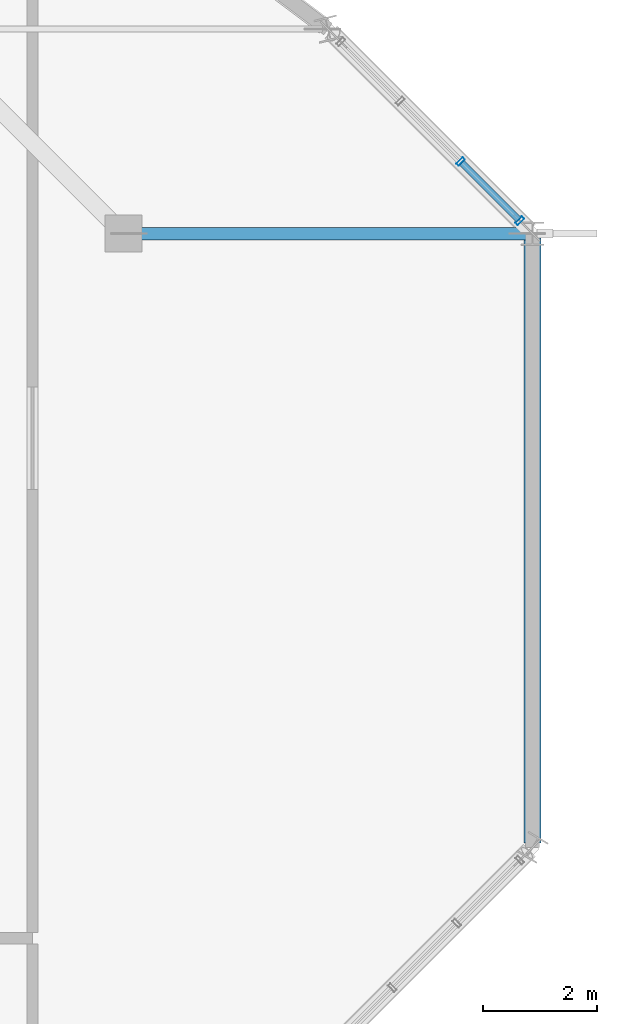
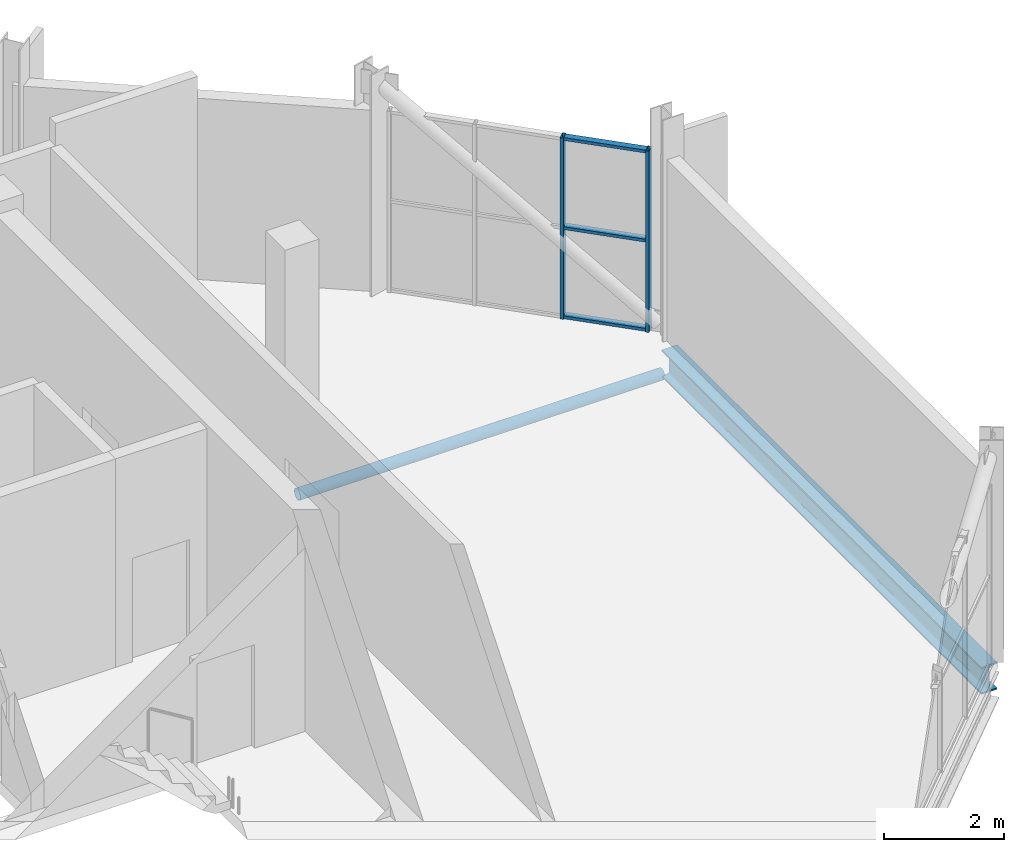
# One storey, part 12 of 22: 6 members, 1 beam, 1 element without a shape of its own.
"""IFC4 building model written with IfcOpenShell, lengths in metres."""

from ifc_helpers import new_model, si_unit, direction, frame, origin, origin_2d, place, context, subcontext, project, spatial, hollow_rectangle, hollow_circle, i_section, extrude, material, layer, layer_set, material_profile, profile_set, type_object, element, aggregate, save


model = new_model("IFC4")

# Units and contexts
model_context = context("Model", 3, precision=1e-05, world=origin(), true_north=direction((0.0, 1.0)))
body_context = subcontext(model_context, "Body", "Model", "MODEL_VIEW")
ifc_project = project(units=[si_unit("LENGTHUNIT", "METRE"), si_unit("AREAUNIT", "SQUARE_METRE"), si_unit("VOLUMEUNIT", "CUBIC_METRE"), si_unit("PLANEANGLEUNIT", "RADIAN"), si_unit("MASSUNIT", "GRAM", prefix="KILO")], contexts=[model_context])

# Site, building, storey
site_placement = place(None, origin())
site = spatial("IfcSite", under=ifc_project, at=site_placement, CompositionType="ELEMENT")
building_placement = place(site_placement, origin())
building = spatial("IfcBuilding", under=site, at=building_placement, Name="Solnavia Interchange Tower", CompositionType="ELEMENT")
storey_placement = place(building_placement, frame((0.0, 0.0, 317.699951171875)))
storey = spatial("IfcBuildingStorey", under=building, at=storey_placement, Name="C04", CompositionType="ELEMENT", Elevation=317.699951171875)

# Curtain wall, members
ifc_material_1 = material(Name="Aluminium Alloy 6063-T6", Category="aluminium")
ifc_layer = layer(ifc_material_1, 0.179931640625)
ifc_layer_set = layer_set([ifc_layer], Name="Aluminium Alloy 6063-T6")
curtain_wall_type = type_object("IfcCurtainWallType", Name="CurtainWall-Crown-CTW6", PredefinedType="NOTDEFINED", material=ifc_layer_set)
curtain_wall_placement = place(storey_placement, origin())
curtain_wall = element("IfcCurtainWall", 1, at=curtain_wall_placement, inside=storey, type_object=curtain_wall_type, Name="CTW-C04-R01 CTW-6 curtain wall", PredefinedType="NOTDEFINED")
ifc_material_profile_1 = material_profile(ifc_material_1, hollow_rectangle(XDim=0.06005859375, YDim=0.159912109375, WallThickness=0.00390625, at=origin_2d()), Name="ALU 160x60x4")
ifc_profile_set_1 = profile_set([ifc_material_profile_1], Name="Aluminium Alloy 6063-T6")
member_type_1 = type_object("IfcMemberType", Name="CW-Mullion-CWM-6", PredefinedType="MULLION", material=ifc_profile_set_1)
member_1_placement = place(storey_placement, frame((42.974853515625, 21.8251953125, 0.0), z_axis=(0.0, 0.0, 1.0), x_axis=(-0.707106781187, 0.707106781187, 0.0)))
member_1 = element("IfcMember", 2, at=member_1_placement, type_object=member_type_1, Name="CTW-6 mullion 1", PredefinedType="MULLION", context=body_context, shape_type="SweptSolid", body=[
    extrude(hollow_rectangle(XDim=0.06005859375, YDim=0.159912109375, WallThickness=0.00390625, at=origin_2d()), origin(), (0.0, 0.0, 1.0), 3.679931640625),
])
member_2_placement = place(storey_placement, frame((41.931884765625, 22.867919921875, 0.0), z_axis=(0.0, 0.0, 1.0), x_axis=(-0.707106781187, 0.707106781187, 0.0)))
member_2 = element("IfcMember", 3, at=member_2_placement, type_object=member_type_1, Name="CTW-6 mullion 2", PredefinedType="MULLION", context=body_context, shape_type="SweptSolid", body=[
    extrude(hollow_rectangle(XDim=0.06005859375, YDim=0.159912109375, WallThickness=0.00390625, at=origin_2d()), origin(), (0.0, 0.0, 1.0), 3.679931640625),
])
ifc_material_profile_2 = material_profile(ifc_material_1, hollow_rectangle(XDim=0.06005859375, YDim=0.1201171875, WallThickness=0.00390625, at=origin_2d()), Name="ALU 120x60x4")
ifc_profile_set_2 = profile_set([ifc_material_profile_2], Name="Aluminium Alloy 6063-T6")
member_type_2 = type_object("IfcMemberType", Name="CW-Transom-CWT-6", PredefinedType="USERDEFINED", material=ifc_profile_set_2)
member_3_placement = place(storey_placement, frame((42.95361328125, 21.846435546875, 0.030029296875), z_axis=(-0.707193061069, 0.707020490776, 0.0), x_axis=(0.0, 0.0, 1.0)))
member_3 = element("IfcMember", 4, at=member_3_placement, type_object=member_type_2, Name="CTW-6 transom 1.1", ObjectType="TRANSOM", PredefinedType="USERDEFINED", context=body_context, shape_type="SweptSolid", body=[
    extrude(hollow_rectangle(XDim=0.06005859375, YDim=0.1201171875, WallThickness=0.00390625, at=origin_2d()), origin(), (0.0, 0.0, 1.0), 1.414794921875),
])
member_4_placement = place(storey_placement, frame((42.95361328125, 21.846435546875, 1.840087890625), z_axis=(-0.707193061069, 0.707020490776, 0.0), x_axis=(0.0, 0.0, 1.0)))
member_4 = element("IfcMember", 5, at=member_4_placement, type_object=member_type_2, Name="CTW-6 transom 1.2", ObjectType="TRANSOM", PredefinedType="USERDEFINED", context=body_context, shape_type="SweptSolid", body=[
    extrude(hollow_rectangle(XDim=0.06005859375, YDim=0.1201171875, WallThickness=0.00390625, at=origin_2d()), origin(), (0.0, 0.0, 1.0), 1.414794921875),
])
member_5_placement = place(storey_placement, frame((42.95361328125, 21.846435546875, 3.650146484375), z_axis=(-0.707193061069, 0.707020490776, 0.0), x_axis=(0.0, 0.0, 1.0)))
member_5 = element("IfcMember", 6, at=member_5_placement, type_object=member_type_2, Name="CTW-6 transom 1.3", ObjectType="TRANSOM", PredefinedType="USERDEFINED", context=body_context, shape_type="SweptSolid", body=[
    extrude(hollow_rectangle(XDim=0.06005859375, YDim=0.1201171875, WallThickness=0.00390625, at=origin_2d()), origin(), (0.0, 0.0, 1.0), 1.414794921875),
])
aggregate(curtain_wall, [member_1, member_2, member_3, member_4, member_5])

# Member
ifc_material_2 = material(Name="Steel S355", Category="steel")
ifc_material_profile_3 = material_profile(ifc_material_2, hollow_circle(Radius=0.109619140625, WallThickness=0.010009765625, at=origin_2d()), Name="CHS 219.1x10")
ifc_profile_set_3 = profile_set([ifc_material_profile_3], Name="Steel S355")
member_type_3 = type_object("IfcMemberType", Name="CrownFrame-Collar-CHS219", PredefinedType="COLLAR", material=ifc_profile_set_3)
member_6_placement = place(storey_placement, frame((36.10009765625, 21.60009765625, -0.800048828125), z_axis=(1.0, 0.0, 0.0), x_axis=(0.0, 1.0, 0.0)))
element("IfcMember", 7, at=member_6_placement, inside=storey, type_object=member_type_3, Name="OTR-C04-CL01 CROWN FRAME radial collar member", PredefinedType="COLLAR", context=body_context, shape_type="SweptSolid", body=[
    extrude(hollow_circle(Radius=0.109619140625, WallThickness=0.010009765625, at=origin_2d()), origin(), (0.0, 0.0, 1.0), 7.0),
])

# Beam
ifc_material_3 = material(Name="Steel S460", Category="steel")
ifc_material_profile_4 = material_profile(ifc_material_3, i_section(OverallWidth=0.300048828125, OverallDepth=0.550048828125, WebThickness=0.014892578125, FlangeThickness=0.029052734375, FilletRadius=0.027099609375, at=origin_2d()), Name="HEB 550")
ifc_profile_set_4 = profile_set([ifc_material_profile_4], Name="Steel S460")
beam_type = type_object("IfcBeamType", Name="CrownFrame-Ring-HEB550", PredefinedType="BEAM", material=ifc_profile_set_4)
beam_placement = place(storey_placement, frame((43.199951171875, 10.8798828125, -0.52490234375), z_axis=(0.0, 1.0, 0.0), x_axis=(-1.0, 0.0, 0.0)))
element("IfcBeam", 8, at=beam_placement, inside=storey, type_object=beam_type, Name="GRD-C04-CR16 CROWN FRAME outer collar ring beam", PredefinedType="BEAM", context=body_context, shape_type="SweptSolid", body=[
    extrude(i_section(OverallWidth=0.300048828125, OverallDepth=0.550048828125, WebThickness=0.014892578125, FlangeThickness=0.029052734375, FilletRadius=0.027099609375, at=origin_2d()), origin(), (0.0, 0.0, 1.0), 10.64013671875),
])

save(model, "model.ifc")
